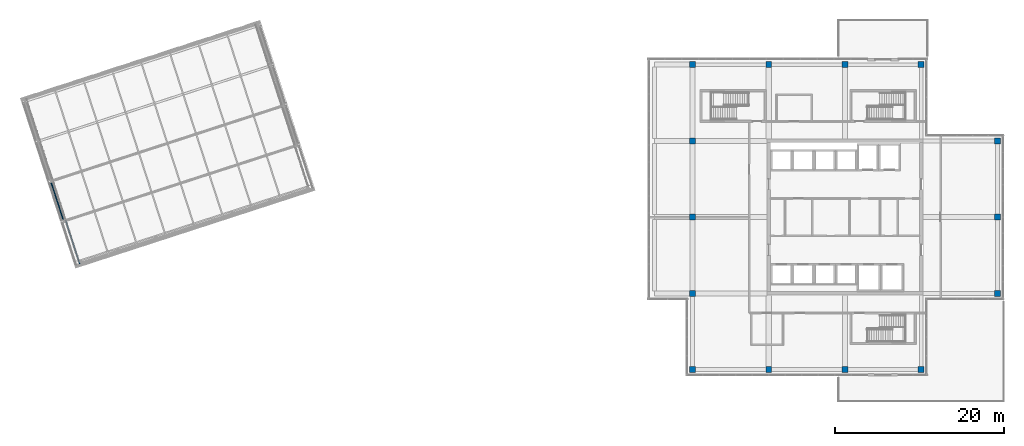
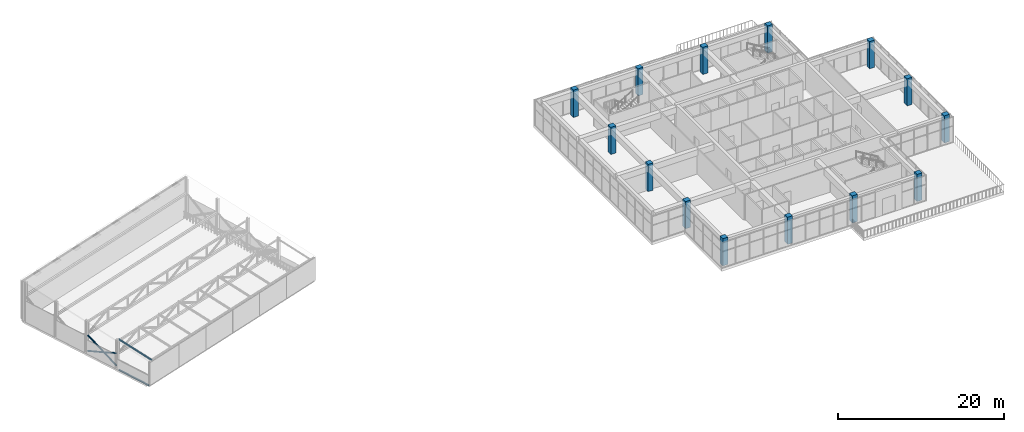
# One storey, part 4 of 49: 14 columns, 4 members.
"""IFC4 building model written with IfcOpenShell, lengths in metres."""

from ifc_helpers import new_model, si_unit, direction, frame, origin, origin_2d, place, context, subcontext, project, spatial, rectangle, hollow_circle, i_section, extrude, material, material_profile, profile_set, type_object, element, save


model = new_model("IFC4")

# Units and contexts
model_context = context("Model", 3, precision=1e-05, world=origin(), true_north=direction((0.0, 1.0)))
body_context = subcontext(model_context, "Body", "Model", "MODEL_VIEW")
ifc_project = project(units=[si_unit("LENGTHUNIT", "METRE"), si_unit("AREAUNIT", "SQUARE_METRE"), si_unit("VOLUMEUNIT", "CUBIC_METRE"), si_unit("PLANEANGLEUNIT", "RADIAN"), si_unit("MASSUNIT", "GRAM", prefix="KILO")], contexts=[model_context])

# Site, building, storey
site_placement = place(None, origin())
site = spatial("IfcSite", under=ifc_project, at=site_placement, CompositionType="ELEMENT")
building_placement = place(site_placement, origin())
building = spatial("IfcBuilding", under=site, at=building_placement, Name="Tuart Plaza Theatre", CompositionType="ELEMENT")
storey_placement = place(building_placement, frame((0.0, 0.0, 29.5)))
storey = spatial("IfcBuildingStorey", under=building, at=storey_placement, Name="L07", CompositionType="ELEMENT", Elevation=29.5)

# Columns
ifc_material_1 = material(Name="Concrete N50 (50 MPa)", Category="concrete")
ifc_material_profile_1 = material_profile(ifc_material_1, rectangle(XDim=0.699951171875, YDim=0.699951171875, at=origin_2d()), Name="COLUMN 700x700 Concrete N50 (50 MPa)")
ifc_profile_set_1 = profile_set([ifc_material_profile_1], Name="Concrete N50 (50 MPa)")
column_type = type_object("IfcColumnType", Name="COLUMN 700x700 Concrete N50 (50 MPa)", PredefinedType="COLUMN", material=ifc_profile_set_1)
for number, where, z_axis, x_axis, name in (
    (1, (114.0, 56.0, 0.0), (0.0, 0.0, 1.0), (1.0, 0.0, 0.0), "C66"),
    (2, (114.0, 65.0, 0.0), (0.0, 0.0, 1.0), (1.0, 0.0, 0.0), "C67"),
    (3, (114.0, 74.0, 0.0), (0.0, 0.0, 1.0), (1.0, 0.0, 0.0), "C68"),
    (4, (114.0, 83.0, 0.0), (0.0, 0.0, 1.0), (1.0, 0.0, 0.0), "C69"),
    (5, (114.0, 92.0, 0.0), (0.0, 0.0, 1.0), (1.0, 0.0, 0.0), "C70"),
    (6, (123.0, 56.0, 0.0), (0.0, 0.0, 1.0), (1.0, 0.0, 0.0), "C71"),
    (7, (123.0, 92.0, 0.0), (0.0, 0.0, 1.0), (1.0, 0.0, 0.0), "C72"),
    (8, (132.0, 56.0, 0.0), (0.0, 0.0, 1.0), (1.0, 0.0, 0.0), "C73"),
    (9, (132.0, 92.0, 0.0), (0.0, 0.0, 1.0), (1.0, 0.0, 0.0), "C74"),
    (10, (141.0, 56.0, 0.0), (0.0, 0.0, 1.0), (1.0, 0.0, 0.0), "C75"),
    (11, (141.0, 92.0, 0.0), (0.0, 0.0, 1.0), (1.0, 0.0, 0.0), "C76"),
    (12, (150.0, 65.0, 0.0), (0.0, 0.0, 1.0), (1.0, 0.0, 0.0), "C77"),
    (13, (150.0, 74.0, 0.0), (0.0, 0.0, 1.0), (1.0, 0.0, 0.0), "C78"),
    (14, (150.0, 83.0, 0.0), (0.0, 0.0, 1.0), (1.0, 0.0, 0.0), "C79"),
):
    element("IfcColumn", number, at=place(storey_placement, frame(where, z_axis=z_axis, x_axis=x_axis)), inside=storey, type_object=column_type, Name=name, PredefinedType="COLUMN", context=body_context, shape_type="SweptSolid", body=[
        extrude(rectangle(XDim=0.699951171875, YDim=0.699951171875, at=origin_2d()), origin(), (0.0, 0.0, 1.0), 4.0),
    ])

# Members
ifc_material_2 = material(Name="Steel Grade C350L0", Category="steel")
ifc_material_profile_2 = material_profile(ifc_material_2, hollow_circle(Radius=0.109619140625, WallThickness=0.00830078125, at=origin_2d()), Name="219.1x8.2 CHS")
ifc_profile_set_2 = profile_set([ifc_material_profile_2], Name="Steel Grade C350L0")
member_type_1 = type_object("IfcMemberType", Name="MEMBER Brace 219.1x8.2 CHS", PredefinedType="BRACE", material=ifc_profile_set_2)
member_1_placement = place(storey_placement, frame((39.70556640625, 73.68310546875, 0.330810546875), z_axis=(-0.277079326451, 0.85268653282, 0.442891322561), x_axis=(-0.951048426906, -0.309041889847, 0.0)))
element("IfcMember", 15, at=member_1_placement, inside=storey, type_object=member_type_1, Name="BR95", PredefinedType="BRACE", context=body_context, shape_type="SweptSolid", body=[
    extrude(hollow_circle(Radius=0.109619140625, WallThickness=0.00830078125, at=origin_2d()), origin(), (0.0, 0.0, 1.0), 5.15625),
])
member_2_placement = place(storey_placement, frame((39.70556640625, 73.68310546875, 2.111328125), z_axis=(-0.288028373659, 0.886381233977, -0.362447187906), x_axis=(-0.951048426906, -0.309041889847, 0.0)))
element("IfcMember", 16, at=member_2_placement, inside=storey, type_object=member_type_1, Name="BR96", PredefinedType="BRACE", context=body_context, shape_type="SweptSolid", body=[
    extrude(hollow_circle(Radius=0.109619140625, WallThickness=0.00830078125, at=origin_2d()), origin(), (0.0, 0.0, 1.0), 4.960205078125),
])
ifc_material_3 = material(Name="Steel Grade 300", Category="steel")
ifc_material_profile_3 = material_profile(ifc_material_3, i_section(OverallWidth=0.133056640625, OverallDepth=0.202880859375, WebThickness=0.005859375, FlangeThickness=0.0078125, FilletRadius=0.0087890625, at=origin_2d()), Name="200UB25.4")
ifc_profile_set_3 = profile_set([ifc_material_profile_3], Name="Steel Grade 300")
member_type_2 = type_object("IfcMemberType", Name="MEMBER Purlin 200UB25.4", PredefinedType="PURLIN", material=ifc_profile_set_3)
member_3_placement = place(storey_placement, frame((41.52880859375, 68.898681640625, -0.3515625), z_axis=(-0.309042578481, 0.951048203135, 0.0), x_axis=(-0.951048203135, -0.309042578481, 0.0)))
element("IfcMember", 17, at=member_3_placement, inside=storey, type_object=member_type_2, Name="PU43", PredefinedType="PURLIN", context=body_context, shape_type="SweptSolid", body=[
    extrude(i_section(OverallWidth=0.133056640625, OverallDepth=0.202880859375, WebThickness=0.005859375, FlangeThickness=0.0078125, FilletRadius=0.0087890625, at=origin_2d()), origin(), (0.0, 0.0, 1.0), 4.9501953125),
])
member_4_placement = place(storey_placement, frame((41.667724609375, 68.470703125, 3.570068359375), z_axis=(-0.307324819352, 0.945850021931, 0.10449493492), x_axis=(-0.951056658866, -0.309016555588, 0.0)))
element("IfcMember", 18, at=member_4_placement, inside=storey, type_object=member_type_2, Name="PU79", PredefinedType="PURLIN", context=body_context, shape_type="SweptSolid", body=[
    extrude(i_section(OverallWidth=0.133056640625, OverallDepth=0.202880859375, WebThickness=0.005859375, FlangeThickness=0.0078125, FilletRadius=0.0087890625, at=origin_2d()), origin(), (0.0, 0.0, 1.0), 5.4296875),
])

save(model, "model.ifc")
